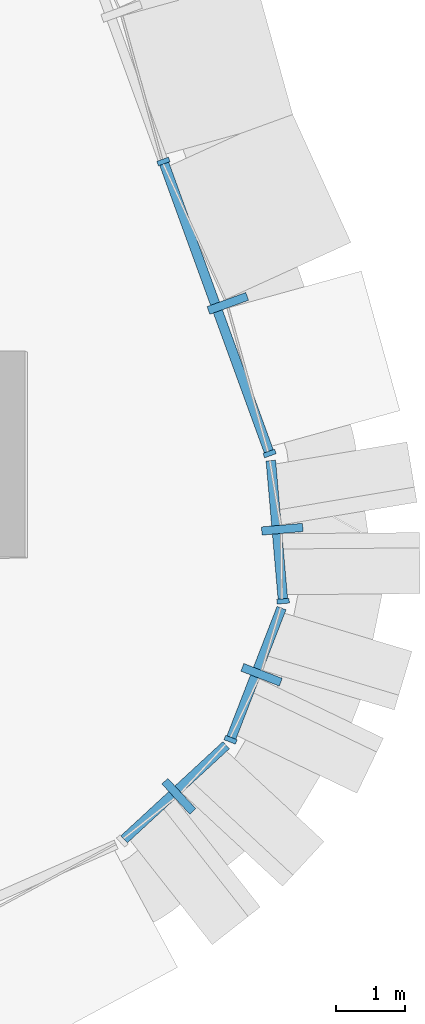
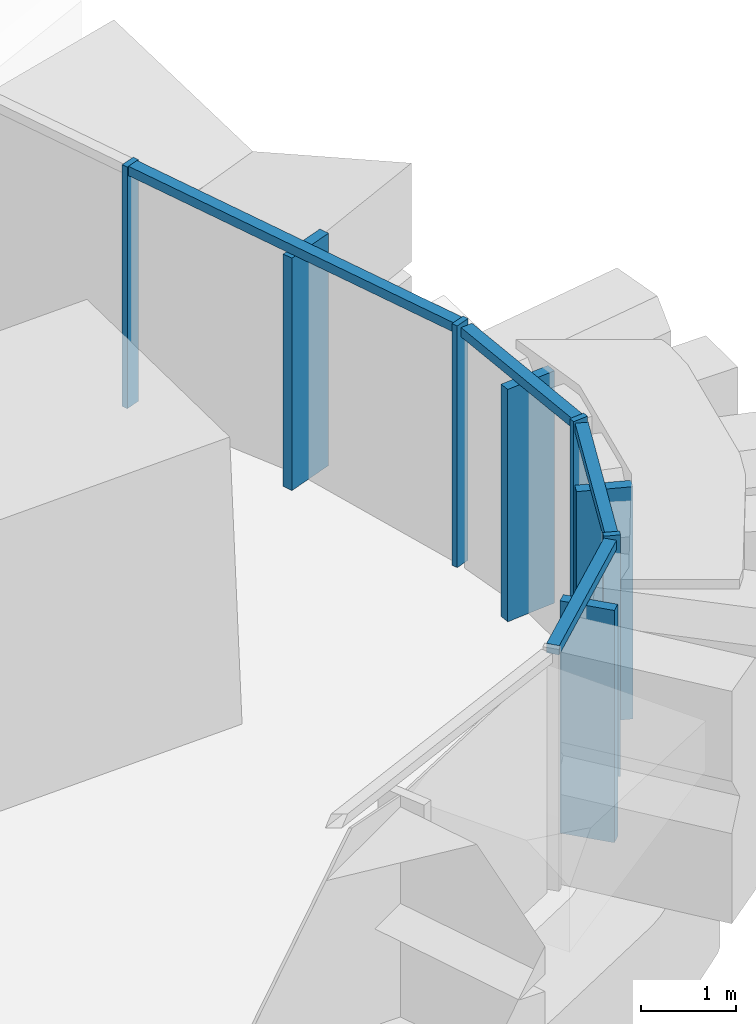
# One storey, part 8 of 27: 12 members, 4 elements without a shape of their own.
"""IFC4 building model written with IfcOpenShell, lengths in metres."""

from ifc_helpers import new_model, si_unit, direction, frame, origin, origin_2d, place, context, subcontext, project, spatial, rectangle, extrude, material, layer, layer_set, material_profile, profile_set, type_object, element, aggregate, save


model = new_model("IFC4")

# Units and contexts
model_context = context("Model", 3, precision=1e-05, world=origin(), true_north=direction((0.0, 1.0)))
body_context = subcontext(model_context, "Body", "Model", "MODEL_VIEW")
ifc_project = project(units=[si_unit("LENGTHUNIT", "METRE"), si_unit("AREAUNIT", "SQUARE_METRE"), si_unit("VOLUMEUNIT", "CUBIC_METRE"), si_unit("PLANEANGLEUNIT", "RADIAN"), si_unit("MASSUNIT", "GRAM", prefix="KILO")], contexts=[model_context])

# Site, building, storey
site_placement = place(None, origin())
site = spatial("IfcSite", under=ifc_project, at=site_placement, CompositionType="ELEMENT")
building_placement = place(site_placement, origin())
building = spatial("IfcBuilding", under=site, at=building_placement, Name="Sierra Prisma Convention Tower", CompositionType="ELEMENT")
storey_placement = place(building_placement, frame((0.0, 0.0, 48.0)))
storey = spatial("IfcBuildingStorey", under=building, at=storey_placement, Name="L07", CompositionType="ELEMENT", Elevation=48.0)

# Curtain wall, member
ifc_material_1 = material(Name="Aluminium and glass curtain wall", Category="aluminium")
ifc_layer = layer(ifc_material_1, 0.179931640625)
ifc_layer_set = layer_set([ifc_layer], Name="CW-2 Faceted crystal curtain wall")
curtain_wall_type = type_object("IfcCurtainWallType", Name="CW-2 Faceted crystal curtain wall", PredefinedType="NOTDEFINED", material=ifc_layer_set)
curtain_wall_1_placement = place(storey_placement, origin())
curtain_wall_1 = element("IfcCurtainWall", 1, at=curtain_wall_1_placement, inside=storey, type_object=curtain_wall_type, Name="CW-2 SE1 L07", PredefinedType="NOTDEFINED")
ifc_material_2 = material(Name="Aluminium 6063-T6 bronze anodised", Category="aluminium")
ifc_material_profile_1 = material_profile(ifc_material_2, rectangle(XDim=0.1201171875, YDim=0.60009765625, at=origin_2d()), Name="ALU RIDGE BLADE 120x600")
ifc_profile_set_1 = profile_set([ifc_material_profile_1], Name="Aluminium 6063-T6 bronze anodised")
member_type_1 = type_object("IfcMemberType", Name="CW hip bronze", PredefinedType="MULLION", material=ifc_profile_set_1)
member_1_placement = place(storey_placement, frame((30.94482421875, -20.694580078125, 0.0), z_axis=(0.0, 0.0, 1.0), x_axis=(0.73512031257, 0.677936668169, 0.0)))
member_1 = element("IfcMember", 2, at=member_1_placement, type_object=member_type_1, Name="CW-2 ridge SE1.1", PredefinedType="MULLION", context=body_context, shape_type="SweptSolid", body=[
    extrude(rectangle(XDim=0.1201171875, YDim=0.60009765625, at=origin_2d()), origin(), (0.0, 0.0, 1.0), 2.97998046875),
])

curtain_wall_2_placement = place(storey_placement, origin())
curtain_wall_2 = element("IfcCurtainWall", 3, at=curtain_wall_2_placement, inside=storey, type_object=curtain_wall_type, Name="CW-2 SE2 L07", PredefinedType="NOTDEFINED")
member_2_placement = place(storey_placement, frame((32.14990234375, -18.92431640625, 0.0), z_axis=(0.0, 0.0, 1.0), x_axis=(0.361186603862, 0.932493558793, 0.0)))
member_2 = element("IfcMember", 4, at=member_2_placement, type_object=member_type_1, Name="CW-2 ridge SE2.1", PredefinedType="MULLION", context=body_context, shape_type="SweptSolid", body=[
    extrude(rectangle(XDim=0.1201171875, YDim=0.60009765625, at=origin_2d()), origin(), (0.0, 0.0, 1.0), 2.97998046875),
])

curtain_wall_3_placement = place(storey_placement, origin())
curtain_wall_3 = element("IfcCurtainWall", 5, at=curtain_wall_3_placement, inside=storey, type_object=curtain_wall_type, Name="CW-2 SE3 L07", PredefinedType="NOTDEFINED")
member_3_placement = place(storey_placement, frame((32.45166015625, -16.803955078125, 0.0), z_axis=(0.0, 0.0, 1.0), x_axis=(-0.086655140855, 0.996238368345, 0.0)))
member_3 = element("IfcMember", 6, at=member_3_placement, type_object=member_type_1, Name="CW-2 ridge SE3.1", PredefinedType="MULLION", context=body_context, shape_type="SweptSolid", body=[
    extrude(rectangle(XDim=0.1201171875, YDim=0.60009765625, at=origin_2d()), origin(), (0.0, 0.0, 1.0), 2.97998046875),
])

curtain_wall_4_placement = place(storey_placement, origin())
curtain_wall_4 = element("IfcCurtainWall", 7, at=curtain_wall_4_placement, inside=storey, type_object=curtain_wall_type, Name="CW-2 NE1 L07", PredefinedType="NOTDEFINED")
member_4_placement = place(storey_placement, frame((31.658203125, -13.514404296875, 0.0), z_axis=(0.0, 0.0, 1.0), x_axis=(-0.341729844272, 0.939798230225, 0.0)))
member_4 = element("IfcMember", 8, at=member_4_placement, type_object=member_type_1, Name="CW-2 ridge NE1.1", PredefinedType="MULLION", context=body_context, shape_type="SweptSolid", body=[
    extrude(rectangle(XDim=0.1201171875, YDim=0.60009765625, at=origin_2d()), origin(), (0.0, 0.0, 1.0), 2.97998046875),
])

# Member
ifc_material_3 = material(Name="Aluminium 6063-T6 bronze anodised", Category="aluminium")
ifc_material_profile_2 = material_profile(ifc_material_3, rectangle(XDim=0.179931640625, YDim=0.070068359375, at=origin_2d()), Name="ALU MULLION 70x180")
ifc_profile_set_2 = profile_set([ifc_material_profile_2], Name="Aluminium 6063-T6 bronze anodised")
member_type_2 = type_object("IfcMemberType", Name="CW mullion bronze", PredefinedType="MULLION", material=ifc_profile_set_2)
member_5_placement = place(storey_placement, frame((31.697998046875, -19.87060546875, 0.0), z_axis=(0.0, 0.0, 1.0), x_axis=(-0.932493558793, 0.361186603862, 0.0)))
member_5 = element("IfcMember", 9, at=member_5_placement, type_object=member_type_2, Name="CW-1 mullion SE2.1", PredefinedType="MULLION", context=body_context, shape_type="SweptSolid", body=[
    extrude(rectangle(XDim=0.179931640625, YDim=0.070068359375, at=origin_2d()), origin(), (0.0, 0.0, 1.0), 3.10009765625),
])

member_6_placement = place(storey_placement, frame((32.463134765625, -17.852783203125, 0.0), z_axis=(0.0, 0.0, 1.0), x_axis=(-0.996238368345, -0.086655140855, 0.0)))
member_6 = element("IfcMember", 10, at=member_6_placement, type_object=member_type_2, Name="CW-1 mullion SE3.1", PredefinedType="MULLION", context=body_context, shape_type="SweptSolid", body=[
    extrude(rectangle(XDim=0.179931640625, YDim=0.070068359375, at=origin_2d()), origin(), (0.0, 0.0, 1.0), 3.10009765625),
])

member_7_placement = place(storey_placement, frame((32.266845703125, -15.701171875, 0.0), z_axis=(0.0, 0.0, 1.0), x_axis=(-0.939798230225, -0.341729844272, 0.0)))
member_7 = element("IfcMember", 11, at=member_7_placement, type_object=member_type_2, Name="CW-1 mullion NE1.1", PredefinedType="MULLION", context=body_context, shape_type="SweptSolid", body=[
    extrude(rectangle(XDim=0.179931640625, YDim=0.070068359375, at=origin_2d()), origin(), (0.0, 0.0, 1.0), 3.10009765625),
])

member_8_placement = place(storey_placement, frame((30.719970703125, -11.447509765625, 0.0), z_axis=(0.0, 0.0, 1.0), x_axis=(-0.939798230225, -0.341729844272, 0.0)))
member_8 = element("IfcMember", 12, at=member_8_placement, type_object=member_type_2, Name="CW-1 mullion NE1.2", PredefinedType="MULLION", context=body_context, shape_type="SweptSolid", body=[
    extrude(rectangle(XDim=0.179931640625, YDim=0.070068359375, at=origin_2d()), origin(), (0.0, 0.0, 1.0), 3.10009765625),
])

ifc_material_4 = material(Name="Aluminium 6063-T6 bronze anodised", Category="aluminium")
ifc_material_profile_3 = material_profile(ifc_material_4, rectangle(XDim=0.139892578125, YDim=0.1201171875, at=origin_2d()), Name="ALU TRANSOM 120x140")
ifc_profile_set_3 = profile_set([ifc_material_profile_3], Name="Aluminium 6063-T6 bronze anodised")
member_type_3 = type_object("IfcMemberType", Name="CW transom bronze", PredefinedType="USERDEFINED", material=ifc_profile_set_3)
member_9_placement = place(storey_placement, frame((30.147705078125, -21.3212890625, 3.0400390625), z_axis=(0.735090434452, 0.677969065059, 0.0), x_axis=(-0.677969065059, 0.735090434452, 0.0)))
member_9 = element("IfcMember", 13, at=member_9_placement, type_object=member_type_3, Name="CW-1 transom SE1.1", ObjectType="TRANSOM", PredefinedType="USERDEFINED", context=body_context, shape_type="SweptSolid", body=[
    extrude(rectangle(XDim=0.139892578125, YDim=0.1201171875, at=origin_2d()), origin(), (0.0, 0.0, 1.0), 2.021728515625),
])

aggregate(curtain_wall_1, [member_9, member_1])

member_10_placement = place(storey_placement, frame((31.710693359375, -19.838134765625, 3.0400390625), z_axis=(0.361187198346, 0.932493328529, 0.0), x_axis=(-0.932493328529, 0.361187198346, 0.0)))
member_10 = element("IfcMember", 14, at=member_10_placement, type_object=member_type_3, Name="CW-1 transom SE2.1", ObjectType="TRANSOM", PredefinedType="USERDEFINED", context=body_context, shape_type="SweptSolid", body=[
    extrude(rectangle(XDim=0.139892578125, YDim=0.1201171875, at=origin_2d()), origin(), (0.0, 0.0, 1.0), 2.021728515625),
])

aggregate(curtain_wall_2, [member_5, member_10, member_2])

member_11_placement = place(storey_placement, frame((32.4599609375, -17.81787109375, 3.0400390625), z_axis=(-0.086593135622, 0.996243759761, 0.0), x_axis=(-0.996243759761, -0.086593135622, 0.0)))
member_11 = element("IfcMember", 15, at=member_11_placement, type_object=member_type_3, Name="CW-1 transom SE3.1", ObjectType="TRANSOM", PredefinedType="USERDEFINED", context=body_context, shape_type="SweptSolid", body=[
    extrude(rectangle(XDim=0.139892578125, YDim=0.1201171875, at=origin_2d()), origin(), (0.0, 0.0, 1.0), 2.021484375),
])

aggregate(curtain_wall_3, [member_6, member_11, member_3])

member_12_placement = place(storey_placement, frame((32.2548828125, -15.66845703125, 3.0400390625), z_axis=(-0.341751860741, 0.939790224295, 0.0), x_axis=(-0.939790224295, -0.341751860741, 0.0)))
member_12 = element("IfcMember", 16, at=member_12_placement, type_object=member_type_3, Name="CW-1 transom NE1.1", ObjectType="TRANSOM", PredefinedType="USERDEFINED", context=body_context, shape_type="SweptSolid", body=[
    extrude(rectangle(XDim=0.139892578125, YDim=0.1201171875, at=origin_2d()), origin(), (0.0, 0.0, 1.0), 4.456298828125),
])

aggregate(curtain_wall_4, [member_7, member_8, member_12, member_4])

save(model, "model.ifc")
